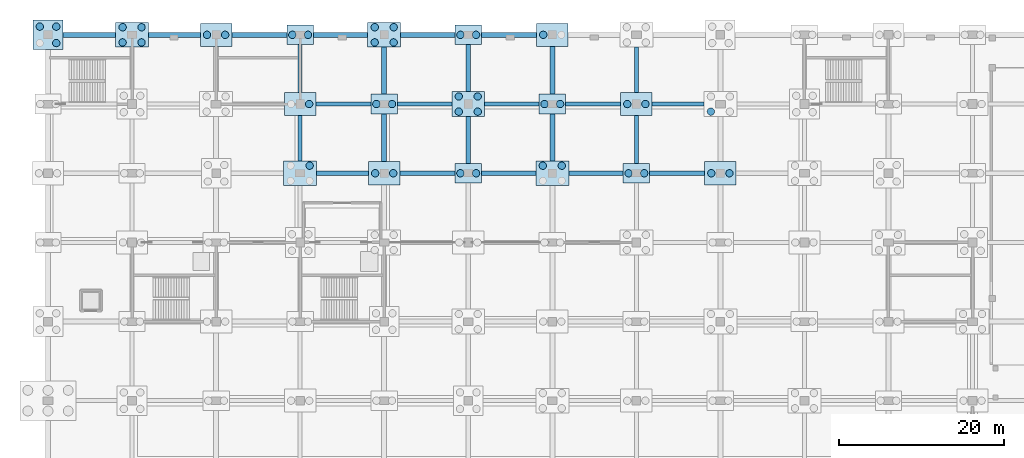
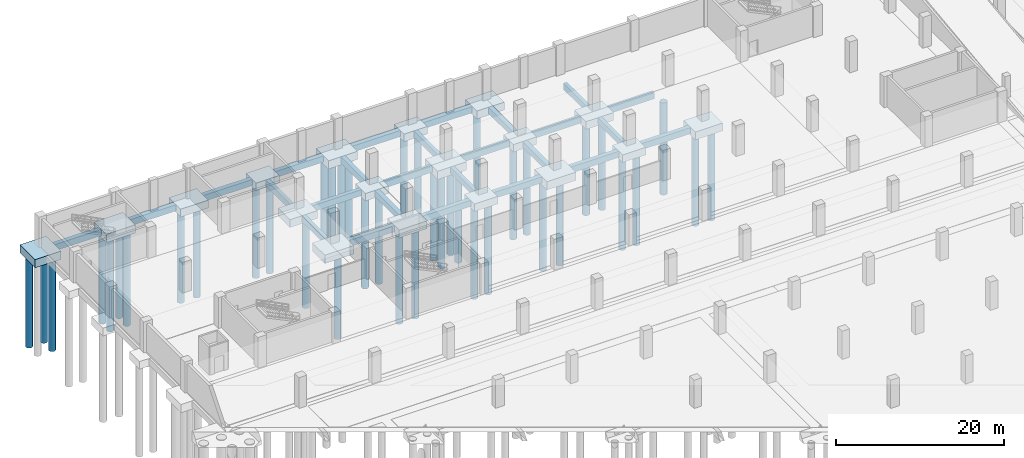
# One storey, part 18 of 52: 44 footings, 41 piles.
"""IFC4 building model written with IfcOpenShell, lengths in metres."""

from ifc_helpers import new_model, si_unit, direction, frame, origin, origin_2d, place, context, subcontext, project, spatial, polyline, rectangle, circle, outline, extrude, material, material_profile, profile_set, type_object, element, save


model = new_model("IFC4")

# Units and contexts
model_context = context("Model", 3, precision=1e-05, world=origin(), true_north=direction((0.0, 1.0)))
body_context = subcontext(model_context, "Body", "Model", "MODEL_VIEW")
ifc_project = project(units=[si_unit("LENGTHUNIT", "METRE"), si_unit("AREAUNIT", "SQUARE_METRE"), si_unit("VOLUMEUNIT", "CUBIC_METRE"), si_unit("PLANEANGLEUNIT", "RADIAN"), si_unit("MASSUNIT", "GRAM", prefix="KILO")], contexts=[model_context])

# Site, building, storey
site_placement = place(None, origin())
site = spatial("IfcSite", under=ifc_project, at=site_placement, CompositionType="ELEMENT")
building_placement = place(site_placement, origin())
building = spatial("IfcBuilding", under=site, at=building_placement, Name="Brelvane Convention Centre", CompositionType="ELEMENT")
storey_placement = place(building_placement, frame((0.0, 0.0, -4.5)))
storey = spatial("IfcBuildingStorey", under=building, at=storey_placement, Name="B1", CompositionType="ELEMENT", Elevation=-4.5)

# Piles
ifc_material_1 = material(Name="Concrete M40", Category="concrete")
ifc_material_profile_1 = material_profile(ifc_material_1, circle(Radius=0.449951171875, at=origin_2d()), Name="PILE D900")
ifc_profile_set_1 = profile_set([ifc_material_profile_1], Name="Concrete M40")
pile_type = type_object("IfcPileType", Name="Bored Pile PL-900", PredefinedType="BORED", material=ifc_profile_set_1)
for number, where, z_axis, x_axis, name in (
    (1, (1.0, 143.0, -1.550048828125), (0.0, 0.0, -1.0), (1.0, 0.0, 0.0), "Bored Pile PL-900 1-Q-2"),
    (2, (-1.0, 145.0, -1.550048828125), (0.0, 0.0, -1.0), (1.0, 0.0, 0.0), "Bored Pile PL-900 1-Q-3"),
    (3, (1.0, 145.0, -1.550048828125), (0.0, 0.0, -1.0), (1.0, 0.0, 0.0), "Bored Pile PL-900 1-Q-4"),
    (4, (9.050048828125, 143.080078125, -1.550048828125), (0.0, 0.0, -1.0), (1.0, 0.0, 0.0), "Bored Pile PL-900 2-Q-1"),
    (5, (11.35009765625, 143.080078125, -1.550048828125), (0.0, 0.0, -1.0), (1.0, 0.0, 0.0), "Bored Pile PL-900 2-Q-2"),
    (6, (9.050048828125, 144.919921875, -1.550048828125), (0.0, 0.0, -1.0), (1.0, 0.0, 0.0), "Bored Pile PL-900 2-Q-3"),
    (7, (11.35009765625, 144.919921875, -1.550048828125), (0.0, 0.0, -1.0), (1.0, 0.0, 0.0), "Bored Pile PL-900 2-Q-4"),
):
    element("IfcPile", number, at=place(storey_placement, frame(where, z_axis=z_axis, x_axis=x_axis)), inside=storey, type_object=pile_type, Name=name, PredefinedType="BORED", context=body_context, shape_type="SweptSolid", body=[
        extrude(circle(Radius=0.449951171875, at=origin_2d()), origin(), (0.0, 0.0, 1.0), 13.449951171875),
    ])
for number, where, z_axis, x_axis, name in (
    (8, (19.300048828125, 144.0, -1.5), (0.0, 0.0, -1.0), (1.0, 0.0, 0.0), "Bored Pile PL-900 3-Q-1"),
    (9, (21.5, 144.0, -1.5), (0.0, 0.0, -1.0), (1.0, 0.0, 0.0), "Bored Pile PL-900 3-Q-2"),
):
    element("IfcPile", number, at=place(storey_placement, frame(where, z_axis=z_axis, x_axis=x_axis)), inside=storey, type_object=pile_type, Name=name, PredefinedType="BORED", context=body_context, shape_type="SweptSolid", body=[
        extrude(circle(Radius=0.449951171875, at=origin_2d()), origin(), (0.0, 0.0, 1.0), 13.5),
    ])
pile_1_placement = place(storey_placement, frame((31.75, 128.1201171875, -1.550048828125), z_axis=(0.0, 0.0, -1.0), x_axis=(1.0, 0.0, 0.0)))
element("IfcPile", 10, at=pile_1_placement, inside=storey, type_object=pile_type, Name="Bored Pile PL-900 4-N-4", PredefinedType="BORED", context=body_context, shape_type="SweptSolid", body=[
    extrude(circle(Radius=0.449951171875, at=origin_2d()), origin(), (0.0, 0.0, 1.0), 13.449951171875),
])
pile_2_placement = place(storey_placement, frame((31.699951171875, 135.60009765625, -1.5), z_axis=(0.0, 0.0, -1.0), x_axis=(1.0, 0.0, 0.0)))
element("IfcPile", 11, at=pile_2_placement, inside=storey, type_object=pile_type, Name="Bored Pile PL-900 4-P-2", PredefinedType="BORED", context=body_context, shape_type="SweptSolid", body=[
    extrude(circle(Radius=0.449951171875, at=origin_2d()), origin(), (0.0, 0.0, 1.0), 13.5),
])
for number, where, z_axis, x_axis, name in (
    (12, (29.64990234375, 144.0, -1.449951171875), (0.0, 0.0, -1.0), (1.0, 0.0, 0.0), "Bored Pile PL-900 4-Q-1"),
    (13, (31.550048828125, 144.0, -1.449951171875), (0.0, 0.0, -1.0), (1.0, 0.0, 0.0), "Bored Pile PL-900 4-Q-2"),
):
    element("IfcPile", number, at=place(storey_placement, frame(where, z_axis=z_axis, x_axis=x_axis)), inside=storey, type_object=pile_type, Name=name, PredefinedType="BORED", context=body_context, shape_type="SweptSolid", body=[
        extrude(circle(Radius=0.449951171875, at=origin_2d()), origin(), (0.0, 0.0, 1.0), 13.550048828125),
    ])
for number, where, z_axis, x_axis, name in (
    (14, (39.699951171875, 127.199951171875, -1.5), (0.0, 0.0, -1.0), (1.0, 0.0, 0.0), "Bored Pile PL-900 5-N-1"),
    (15, (41.89990234375, 127.199951171875, -1.5), (0.0, 0.0, -1.0), (1.0, 0.0, 0.0), "Bored Pile PL-900 5-N-2"),
):
    element("IfcPile", number, at=place(storey_placement, frame(where, z_axis=z_axis, x_axis=x_axis)), inside=storey, type_object=pile_type, Name=name, PredefinedType="BORED", context=body_context, shape_type="SweptSolid", body=[
        extrude(circle(Radius=0.449951171875, at=origin_2d()), origin(), (0.0, 0.0, 1.0), 13.5),
    ])
for number, where, z_axis, x_axis, name in (
    (16, (39.85009765625, 135.60009765625, -1.449951171875), (0.0, 0.0, -1.0), (1.0, 0.0, 0.0), "Bored Pile PL-900 5-P-1"),
    (17, (41.75, 135.60009765625, -1.449951171875), (0.0, 0.0, -1.0), (1.0, 0.0, 0.0), "Bored Pile PL-900 5-P-2"),
):
    element("IfcPile", number, at=place(storey_placement, frame(where, z_axis=z_axis, x_axis=x_axis)), inside=storey, type_object=pile_type, Name=name, PredefinedType="BORED", context=body_context, shape_type="SweptSolid", body=[
        extrude(circle(Radius=0.449951171875, at=origin_2d()), origin(), (0.0, 0.0, 1.0), 13.550048828125),
    ])
for number, where, z_axis, x_axis, name in (
    (18, (39.64990234375, 143.080078125, -1.550048828125), (0.0, 0.0, -1.0), (1.0, 0.0, 0.0), "Bored Pile PL-900 5-Q-1"),
    (19, (41.949951171875, 143.080078125, -1.550048828125), (0.0, 0.0, -1.0), (1.0, 0.0, 0.0), "Bored Pile PL-900 5-Q-2"),
    (20, (39.64990234375, 144.919921875, -1.550048828125), (0.0, 0.0, -1.0), (1.0, 0.0, 0.0), "Bored Pile PL-900 5-Q-3"),
    (21, (41.949951171875, 144.919921875, -1.550048828125), (0.0, 0.0, -1.0), (1.0, 0.0, 0.0), "Bored Pile PL-900 5-Q-4"),
):
    element("IfcPile", number, at=place(storey_placement, frame(where, z_axis=z_axis, x_axis=x_axis)), inside=storey, type_object=pile_type, Name=name, PredefinedType="BORED", context=body_context, shape_type="SweptSolid", body=[
        extrude(circle(Radius=0.449951171875, at=origin_2d()), origin(), (0.0, 0.0, 1.0), 13.449951171875),
    ])
for number, where, z_axis, x_axis, name in (
    (22, (50.050048828125, 127.199951171875, -1.449951171875), (0.0, 0.0, -1.0), (1.0, 0.0, 0.0), "Bored Pile PL-900 6-N-1"),
    (23, (51.949951171875, 127.199951171875, -1.449951171875), (0.0, 0.0, -1.0), (1.0, 0.0, 0.0), "Bored Pile PL-900 6-N-2"),
):
    element("IfcPile", number, at=place(storey_placement, frame(where, z_axis=z_axis, x_axis=x_axis)), inside=storey, type_object=pile_type, Name=name, PredefinedType="BORED", context=body_context, shape_type="SweptSolid", body=[
        extrude(circle(Radius=0.449951171875, at=origin_2d()), origin(), (0.0, 0.0, 1.0), 13.550048828125),
    ])
for number, where, z_axis, x_axis, name in (
    (24, (49.85009765625, 134.679931640625, -1.550048828125), (0.0, 0.0, -1.0), (1.0, 0.0, 0.0), "Bored Pile PL-900 6-P-1"),
    (25, (52.14990234375, 134.679931640625, -1.550048828125), (0.0, 0.0, -1.0), (1.0, 0.0, 0.0), "Bored Pile PL-900 6-P-2"),
    (26, (49.85009765625, 136.52001953125, -1.550048828125), (0.0, 0.0, -1.0), (1.0, 0.0, 0.0), "Bored Pile PL-900 6-P-3"),
    (27, (52.14990234375, 136.52001953125, -1.550048828125), (0.0, 0.0, -1.0), (1.0, 0.0, 0.0), "Bored Pile PL-900 6-P-4"),
):
    element("IfcPile", number, at=place(storey_placement, frame(where, z_axis=z_axis, x_axis=x_axis)), inside=storey, type_object=pile_type, Name=name, PredefinedType="BORED", context=body_context, shape_type="SweptSolid", body=[
        extrude(circle(Radius=0.449951171875, at=origin_2d()), origin(), (0.0, 0.0, 1.0), 13.449951171875),
    ])
for number, where, z_axis, x_axis, name in (
    (28, (50.050048828125, 144.0, -1.449951171875), (0.0, 0.0, -1.0), (1.0, 0.0, 0.0), "Bored Pile PL-900 6-Q-1"),
    (29, (51.949951171875, 144.0, -1.449951171875), (0.0, 0.0, -1.0), (1.0, 0.0, 0.0), "Bored Pile PL-900 6-Q-2"),
):
    element("IfcPile", number, at=place(storey_placement, frame(where, z_axis=z_axis, x_axis=x_axis)), inside=storey, type_object=pile_type, Name=name, PredefinedType="BORED", context=body_context, shape_type="SweptSolid", body=[
        extrude(circle(Radius=0.449951171875, at=origin_2d()), origin(), (0.0, 0.0, 1.0), 13.550048828125),
    ])
for number, where, z_axis, x_axis, name in (
    (30, (60.050048828125, 128.1201171875, -1.550048828125), (0.0, 0.0, -1.0), (1.0, 0.0, 0.0), "Bored Pile PL-900 7-N-3"),
    (31, (62.35009765625, 128.1201171875, -1.550048828125), (0.0, 0.0, -1.0), (1.0, 0.0, 0.0), "Bored Pile PL-900 7-N-4"),
):
    element("IfcPile", number, at=place(storey_placement, frame(where, z_axis=z_axis, x_axis=x_axis)), inside=storey, type_object=pile_type, Name=name, PredefinedType="BORED", context=body_context, shape_type="SweptSolid", body=[
        extrude(circle(Radius=0.449951171875, at=origin_2d()), origin(), (0.0, 0.0, 1.0), 13.449951171875),
    ])
for number, where, z_axis, x_axis, name in (
    (32, (60.25, 135.60009765625, -1.449951171875), (0.0, 0.0, -1.0), (1.0, 0.0, 0.0), "Bored Pile PL-900 7-P-1"),
    (33, (62.14990234375, 135.60009765625, -1.449951171875), (0.0, 0.0, -1.0), (1.0, 0.0, 0.0), "Bored Pile PL-900 7-P-2"),
):
    element("IfcPile", number, at=place(storey_placement, frame(where, z_axis=z_axis, x_axis=x_axis)), inside=storey, type_object=pile_type, Name=name, PredefinedType="BORED", context=body_context, shape_type="SweptSolid", body=[
        extrude(circle(Radius=0.449951171875, at=origin_2d()), origin(), (0.0, 0.0, 1.0), 13.550048828125),
    ])
pile_3_placement = place(storey_placement, frame((60.10009765625, 144.0, -1.5), z_axis=(0.0, 0.0, -1.0), x_axis=(1.0, 0.0, 0.0)))
element("IfcPile", 34, at=pile_3_placement, inside=storey, type_object=pile_type, Name="Bored Pile PL-900 7-Q-1", PredefinedType="BORED", context=body_context, shape_type="SweptSolid", body=[
    extrude(circle(Radius=0.449951171875, at=origin_2d()), origin(), (0.0, 0.0, 1.0), 13.5),
])
for number, where, z_axis, x_axis, name in (
    (35, (70.449951171875, 127.199951171875, -1.449951171875), (0.0, 0.0, -1.0), (1.0, 0.0, 0.0), "Bored Pile PL-900 8-N-1"),
    (36, (72.35009765625, 127.199951171875, -1.449951171875), (0.0, 0.0, -1.0), (1.0, 0.0, 0.0), "Bored Pile PL-900 8-N-2"),
):
    element("IfcPile", number, at=place(storey_placement, frame(where, z_axis=z_axis, x_axis=x_axis)), inside=storey, type_object=pile_type, Name=name, PredefinedType="BORED", context=body_context, shape_type="SweptSolid", body=[
        extrude(circle(Radius=0.449951171875, at=origin_2d()), origin(), (0.0, 0.0, 1.0), 13.550048828125),
    ])
for number, where, z_axis, x_axis, name in (
    (37, (70.300048828125, 135.60009765625, -1.5), (0.0, 0.0, -1.0), (1.0, 0.0, 0.0), "Bored Pile PL-900 8-P-1"),
    (38, (72.5, 135.60009765625, -1.5), (0.0, 0.0, -1.0), (1.0, 0.0, 0.0), "Bored Pile PL-900 8-P-2"),
    (39, (80.5, 127.199951171875, -1.5), (0.0, 0.0, -1.0), (1.0, 0.0, 0.0), "Bored Pile PL-900 9-N-1"),
    (40, (82.699951171875, 127.199951171875, -1.5), (0.0, 0.0, -1.0), (1.0, 0.0, 0.0), "Bored Pile PL-900 9-N-2"),
):
    element("IfcPile", number, at=place(storey_placement, frame(where, z_axis=z_axis, x_axis=x_axis)), inside=storey, type_object=pile_type, Name=name, PredefinedType="BORED", context=body_context, shape_type="SweptSolid", body=[
        extrude(circle(Radius=0.449951171875, at=origin_2d()), origin(), (0.0, 0.0, 1.0), 13.5),
    ])
pile_4_placement = place(storey_placement, frame((80.449951171875, 134.679931640625, -1.550048828125), z_axis=(0.0, 0.0, -1.0), x_axis=(1.0, 0.0, 0.0)))
element("IfcPile", 41, at=pile_4_placement, inside=storey, type_object=pile_type, Name="Bored Pile PL-900 9-P-1", PredefinedType="BORED", context=body_context, shape_type="SweptSolid", body=[
    extrude(circle(Radius=0.449951171875, at=origin_2d()), origin(), (0.0, 0.0, 1.0), 13.449951171875),
])

# Footings
ifc_material_2 = material(Name="Concrete M40", Category="concrete")
ifc_material_profile_2 = material_profile(ifc_material_2, rectangle(XDim=0.60009765625, YDim=0.89990234375, at=origin_2d()), Name="RC 600x900")
ifc_profile_set_2 = profile_set([ifc_material_profile_2], Name="Concrete M40")
footing_type_1 = type_object("IfcFootingType", Name="Ground Tie Beam GB-1", PredefinedType="FOOTING_BEAM", material=ifc_profile_set_2)
footing_1_placement = place(storey_placement, frame((1.800048828125, 144.0, -0.89990234375), z_axis=(1.0, 0.0, 0.0), x_axis=(0.0, 1.0, 0.0)))
element("IfcFooting", 42, at=footing_1_placement, inside=storey, type_object=footing_type_1, Name="Ground Tie Beam GB-1 1-2/Q", PredefinedType="FOOTING_BEAM", context=body_context, shape_type="SweptSolid", body=[
    extrude(rectangle(XDim=0.60009765625, YDim=0.89990234375, at=origin_2d()), origin(), (0.0, 0.0, 1.0), 6.39990234375),
])
footing_2_placement = place(storey_placement, frame((12.199951171875, 144.0, -0.89990234375), z_axis=(1.0, 0.0, 0.0), x_axis=(0.0, 1.0, 0.0)))
element("IfcFooting", 43, at=footing_2_placement, inside=storey, type_object=footing_type_1, Name="Ground Tie Beam GB-1 2-3/Q", PredefinedType="FOOTING_BEAM", context=body_context, shape_type="SweptSolid", body=[
    extrude(rectangle(XDim=0.60009765625, YDim=0.89990234375, at=origin_2d()), origin(), (0.0, 0.0, 1.0), 6.300048828125),
])
footing_3_placement = place(storey_placement, frame((22.300048828125, 144.0, -0.89990234375), z_axis=(1.0, 0.0, 0.0), x_axis=(0.0, 1.0, 0.0)))
element("IfcFooting", 44, at=footing_3_placement, inside=storey, type_object=footing_type_1, Name="Ground Tie Beam GB-1 3-4/Q", PredefinedType="FOOTING_BEAM", context=body_context, shape_type="SweptSolid", body=[
    extrude(rectangle(XDim=0.60009765625, YDim=0.89990234375, at=origin_2d()), origin(), (0.0, 0.0, 1.0), 6.699951171875),
])
footing_4_placement = place(storey_placement, frame((32.60009765625, 127.199951171875, -0.89990234375), z_axis=(1.0, 0.0, 0.0), x_axis=(0.0, 1.0, 0.0)))
element("IfcFooting", 45, at=footing_4_placement, inside=storey, type_object=footing_type_1, Name="Ground Tie Beam GB-1 4-5/N", PredefinedType="FOOTING_BEAM", context=body_context, shape_type="SweptSolid", body=[
    extrude(rectangle(XDim=0.60009765625, YDim=0.89990234375, at=origin_2d()), origin(), (0.0, 0.0, 1.0), 6.2998046875),
])
footing_5_placement = place(storey_placement, frame((32.199951171875, 144.0, -0.89990234375), z_axis=(1.0, 0.0, 0.0), x_axis=(0.0, 1.0, 0.0)))
element("IfcFooting", 46, at=footing_5_placement, inside=storey, type_object=footing_type_1, Name="Ground Tie Beam GB-1 4-5/Q", PredefinedType="FOOTING_BEAM", context=body_context, shape_type="SweptSolid", body=[
    extrude(rectangle(XDim=0.60009765625, YDim=0.89990234375, at=origin_2d()), origin(), (0.0, 0.0, 1.0), 6.60009765625),
])
footing_6_placement = place(storey_placement, frame((42.699951171875, 127.199951171875, -0.89990234375), z_axis=(1.0, 0.0, 0.0), x_axis=(0.0, 1.0, 0.0)))
element("IfcFooting", 47, at=footing_6_placement, inside=storey, type_object=footing_type_1, Name="Ground Tie Beam GB-1 5-6/N", PredefinedType="FOOTING_BEAM", context=body_context, shape_type="SweptSolid", body=[
    extrude(rectangle(XDim=0.60009765625, YDim=0.89990234375, at=origin_2d()), origin(), (0.0, 0.0, 1.0), 6.699951171875),
])
footing_7_placement = place(storey_placement, frame((40.800048828125, 128.60009765625, -0.89990234375), z_axis=(0.0, 1.0, 0.0), x_axis=(-1.0, 0.0, 0.0)))
element("IfcFooting", 48, at=footing_7_placement, inside=storey, type_object=footing_type_1, Name="Ground Tie Beam GB-1 5/N-P", PredefinedType="FOOTING_BEAM", context=body_context, shape_type="SweptSolid", body=[
    extrude(rectangle(XDim=0.60009765625, YDim=0.89990234375, at=origin_2d()), origin(), (0.0, 0.0, 1.0), 5.7998046875),
])
footing_8_placement = place(storey_placement, frame((40.800048828125, 136.800048828125, -0.89990234375), z_axis=(0.0, 1.0, 0.0), x_axis=(-1.0, 0.0, 0.0)))
element("IfcFooting", 49, at=footing_8_placement, inside=storey, type_object=footing_type_1, Name="Ground Tie Beam GB-1 5/P-Q", PredefinedType="FOOTING_BEAM", context=body_context, shape_type="SweptSolid", body=[
    extrude(rectangle(XDim=0.60009765625, YDim=0.89990234375, at=origin_2d()), origin(), (0.0, 0.0, 1.0), 5.699951171875),
])
for number, where, z_axis, x_axis, name in (
    (50, (42.800048828125, 144.0, -0.89990234375), (1.0, 0.0, 0.0), (0.0, 1.0, 0.0), "Ground Tie Beam GB-1 5-6/Q"),
    (51, (52.60009765625, 127.199951171875, -0.89990234375), (1.0, 0.0, 0.0), (0.0, 1.0, 0.0), "Ground Tie Beam GB-1 6-7/N"),
):
    element("IfcFooting", number, at=place(storey_placement, frame(where, z_axis=z_axis, x_axis=x_axis)), inside=storey, type_object=footing_type_1, Name=name, PredefinedType="FOOTING_BEAM", context=body_context, shape_type="SweptSolid", body=[
        extrude(rectangle(XDim=0.60009765625, YDim=0.89990234375, at=origin_2d()), origin(), (0.0, 0.0, 1.0), 6.599853515625),
    ])
footing_9_placement = place(storey_placement, frame((52.60009765625, 144.0, -0.89990234375), z_axis=(1.0, 0.0, 0.0), x_axis=(0.0, 1.0, 0.0)))
element("IfcFooting", 52, at=footing_9_placement, inside=storey, type_object=footing_type_1, Name="Ground Tie Beam GB-1 6-7/Q", PredefinedType="FOOTING_BEAM", context=body_context, shape_type="SweptSolid", body=[
    extrude(rectangle(XDim=0.60009765625, YDim=0.89990234375, at=origin_2d()), origin(), (0.0, 0.0, 1.0), 6.699951171875),
])
footing_10_placement = place(storey_placement, frame((63.199951171875, 127.199951171875, -0.89990234375), z_axis=(1.0, 0.0, 0.0), x_axis=(0.0, 1.0, 0.0)))
element("IfcFooting", 53, at=footing_10_placement, inside=storey, type_object=footing_type_1, Name="Ground Tie Beam GB-1 7-8/N", PredefinedType="FOOTING_BEAM", context=body_context, shape_type="SweptSolid", body=[
    extrude(rectangle(XDim=0.60009765625, YDim=0.89990234375, at=origin_2d()), origin(), (0.0, 0.0, 1.0), 6.60009765625),
])
footing_11_placement = place(storey_placement, frame((61.199951171875, 128.699951171875, -0.89990234375), z_axis=(0.0, 1.0, 0.0), x_axis=(-1.0, 0.0, 0.0)))
element("IfcFooting", 54, at=footing_11_placement, inside=storey, type_object=footing_type_1, Name="Ground Tie Beam GB-1 7/N-P", PredefinedType="FOOTING_BEAM", context=body_context, shape_type="SweptSolid", body=[
    extrude(rectangle(XDim=0.60009765625, YDim=0.89990234375, at=origin_2d()), origin(), (0.0, 0.0, 1.0), 5.699951171875),
])
footing_12_placement = place(storey_placement, frame((61.199951171875, 136.800048828125, -0.89990234375), z_axis=(0.0, 1.0, 0.0), x_axis=(-1.0, 0.0, 0.0)))
element("IfcFooting", 55, at=footing_12_placement, inside=storey, type_object=footing_type_1, Name="Ground Tie Beam GB-1 7/P-Q", PredefinedType="FOOTING_BEAM", context=body_context, shape_type="SweptSolid", body=[
    extrude(rectangle(XDim=0.60009765625, YDim=0.89990234375, at=origin_2d()), origin(), (0.0, 0.0, 1.0), 5.800048828125),
])
footing_13_placement = place(storey_placement, frame((73.0, 127.199951171875, -0.89990234375), z_axis=(1.0, 0.0, 0.0), x_axis=(0.0, 1.0, 0.0)))
element("IfcFooting", 56, at=footing_13_placement, inside=storey, type_object=footing_type_1, Name="Ground Tie Beam GB-1 8-9/N", PredefinedType="FOOTING_BEAM", context=body_context, shape_type="SweptSolid", body=[
    extrude(rectangle(XDim=0.60009765625, YDim=0.89990234375, at=origin_2d()), origin(), (0.0, 0.0, 1.0), 6.699951171875),
])
ifc_material_3 = material(Name="Concrete M40", Category="concrete")
ifc_material_profile_3 = material_profile(ifc_material_3, rectangle(XDim=0.5, YDim=0.89990234375, at=origin_2d()), Name="RC 500x900")
ifc_profile_set_3 = profile_set([ifc_material_profile_3], Name="Concrete M40")
footing_type_2 = type_object("IfcFootingType", Name="Ground Tie Beam GB-2", PredefinedType="FOOTING_BEAM", material=ifc_profile_set_3)
footing_14_placement = place(storey_placement, frame((30.60009765625, 128.699951171875, -0.89990234375), z_axis=(0.0, 1.0, 0.0), x_axis=(-1.0, 0.0, 0.0)))
element("IfcFooting", 57, at=footing_14_placement, inside=storey, type_object=footing_type_2, Name="Ground Tie Beam GB-2 4/N-P", PredefinedType="FOOTING_BEAM", context=body_context, shape_type="SweptSolid", body=[
    extrude(rectangle(XDim=0.5, YDim=0.89990234375, at=origin_2d()), origin(), (0.0, 0.0, 1.0), 5.5),
])
footing_15_placement = place(storey_placement, frame((32.5, 135.60009765625, -0.89990234375), z_axis=(1.0, 0.0, 0.0), x_axis=(0.0, 1.0, 0.0)))
element("IfcFooting", 58, at=footing_15_placement, inside=storey, type_object=footing_type_2, Name="Ground Tie Beam GB-2 4-5/P", PredefinedType="FOOTING_BEAM", context=body_context, shape_type="SweptSolid", body=[
    extrude(rectangle(XDim=0.5, YDim=0.89990234375, at=origin_2d()), origin(), (0.0, 0.0, 1.0), 6.699951171875),
])
footing_16_placement = place(storey_placement, frame((30.60009765625, 137.0, -0.89990234375), z_axis=(0.0, 1.0, 0.0), x_axis=(-1.0, 0.0, 0.0)))
element("IfcFooting", 59, at=footing_16_placement, inside=storey, type_object=footing_type_2, Name="Ground Tie Beam GB-2 4/P-Q", PredefinedType="FOOTING_BEAM", context=body_context, shape_type="SweptSolid", body=[
    extrude(rectangle(XDim=0.5, YDim=0.89990234375, at=origin_2d()), origin(), (0.0, 0.0, 1.0), 5.800048828125),
])
footing_17_placement = place(storey_placement, frame((42.39990234375, 135.60009765625, -0.89990234375), z_axis=(1.0, 0.0, 0.0), x_axis=(0.0, 1.0, 0.0)))
element("IfcFooting", 60, at=footing_17_placement, inside=storey, type_object=footing_type_2, Name="Ground Tie Beam GB-2 5-6/P", PredefinedType="FOOTING_BEAM", context=body_context, shape_type="SweptSolid", body=[
    extrude(rectangle(XDim=0.5, YDim=0.89990234375, at=origin_2d()), origin(), (0.0, 0.0, 1.0), 6.60009765625),
])
footing_18_placement = place(storey_placement, frame((51.0, 128.39990234375, -0.89990234375), z_axis=(0.0, 1.0, 0.0), x_axis=(-1.0, 0.0, 0.0)))
element("IfcFooting", 61, at=footing_18_placement, inside=storey, type_object=footing_type_2, Name="Ground Tie Beam GB-2 6/N-P", PredefinedType="FOOTING_BEAM", context=body_context, shape_type="SweptSolid", body=[
    extrude(rectangle(XDim=0.5, YDim=0.89990234375, at=origin_2d()), origin(), (0.0, 0.0, 1.0), 5.7001953125),
])
footing_19_placement = place(storey_placement, frame((53.0, 135.60009765625, -0.89990234375), z_axis=(1.0, 0.0, 0.0), x_axis=(0.0, 1.0, 0.0)))
element("IfcFooting", 62, at=footing_19_placement, inside=storey, type_object=footing_type_2, Name="Ground Tie Beam GB-2 6-7/P", PredefinedType="FOOTING_BEAM", context=body_context, shape_type="SweptSolid", body=[
    extrude(rectangle(XDim=0.5, YDim=0.89990234375, at=origin_2d()), origin(), (0.0, 0.0, 1.0), 6.60009765625),
])
footing_20_placement = place(storey_placement, frame((51.0, 137.10009765625, -0.89990234375), z_axis=(0.0, 1.0, 0.0), x_axis=(-1.0, 0.0, 0.0)))
element("IfcFooting", 63, at=footing_20_placement, inside=storey, type_object=footing_type_2, Name="Ground Tie Beam GB-2 6/P-Q", PredefinedType="FOOTING_BEAM", context=body_context, shape_type="SweptSolid", body=[
    extrude(rectangle(XDim=0.5, YDim=0.89990234375, at=origin_2d()), origin(), (0.0, 0.0, 1.0), 5.699951171875),
])
footing_21_placement = place(storey_placement, frame((62.800048828125, 135.60009765625, -0.89990234375), z_axis=(1.0, 0.0, 0.0), x_axis=(0.0, 1.0, 0.0)))
element("IfcFooting", 64, at=footing_21_placement, inside=storey, type_object=footing_type_2, Name="Ground Tie Beam GB-2 7-8/P", PredefinedType="FOOTING_BEAM", context=body_context, shape_type="SweptSolid", body=[
    extrude(rectangle(XDim=0.5, YDim=0.89990234375, at=origin_2d()), origin(), (0.0, 0.0, 1.0), 6.699951171875),
])
footing_22_placement = place(storey_placement, frame((71.39990234375, 128.39990234375, -0.89990234375), z_axis=(0.0, 1.0, 0.0), x_axis=(-1.0, 0.0, 0.0)))
element("IfcFooting", 65, at=footing_22_placement, inside=storey, type_object=footing_type_2, Name="Ground Tie Beam GB-2 8/N-P", PredefinedType="FOOTING_BEAM", context=body_context, shape_type="SweptSolid", body=[
    extrude(rectangle(XDim=0.5, YDim=0.89990234375, at=origin_2d()), origin(), (0.0, 0.0, 1.0), 5.800048828125),
])
footing_23_placement = place(storey_placement, frame((73.300048828125, 135.60009765625, -0.89990234375), z_axis=(1.0, 0.0, 0.0), x_axis=(0.0, 1.0, 0.0)))
element("IfcFooting", 66, at=footing_23_placement, inside=storey, type_object=footing_type_2, Name="Ground Tie Beam GB-2 8-9/P", PredefinedType="FOOTING_BEAM", context=body_context, shape_type="SweptSolid", body=[
    extrude(rectangle(XDim=0.5, YDim=0.89990234375, at=origin_2d()), origin(), (0.0, 0.0, 1.0), 6.300048828125),
])
footing_24_placement = place(storey_placement, frame((71.39990234375, 137.0, -0.89990234375), z_axis=(0.0, 1.0, 0.0), x_axis=(-1.0, 0.0, 0.0)))
element("IfcFooting", 67, at=footing_24_placement, inside=storey, type_object=footing_type_2, Name="Ground Tie Beam GB-2 8/P-Q", PredefinedType="FOOTING_BEAM", context=body_context, shape_type="SweptSolid", body=[
    extrude(rectangle(XDim=0.5, YDim=0.89990234375, at=origin_2d()), origin(), (0.0, 0.0, 1.0), 5.5),
])
ifc_material_4 = material(Name="Concrete M40", Category="concrete")
footing_type_3 = type_object("IfcFootingType", Name="Pile Cap PC-2", PredefinedType="PILE_CAP", material=ifc_material_4)
footing_25_placement = place(storey_placement, frame((0.0, 0.0, -1.550048828125)))
element("IfcFooting", 68, at=footing_25_placement, inside=storey, type_object=footing_type_3, Name="Pile Cap PC-2 at 4-Q", PredefinedType="PILE_CAP", context=body_context, shape_type="SweptSolid", body=[
    extrude(outline(polyline([(29.0, 142.800048828125), (32.199951171875, 142.800048828125), (32.199951171875, 145.199951171875), (29.0, 145.199951171875), (29.0, 142.800048828125)])), origin(), (0.0, 0.0, 1.0), 1.10009765625),
])
footing_26_placement = place(storey_placement, frame((0.0, 0.0, -1.550048828125)))
element("IfcFooting", 69, at=footing_26_placement, inside=storey, type_object=footing_type_3, Name="Pile Cap PC-2 at 5-P", PredefinedType="PILE_CAP", context=body_context, shape_type="SweptSolid", body=[
    extrude(outline(polyline([(39.199951171875, 134.39990234375), (42.39990234375, 134.39990234375), (42.39990234375, 136.800048828125), (39.199951171875, 136.800048828125), (39.199951171875, 134.39990234375)])), origin(), (0.0, 0.0, 1.0), 1.10009765625),
])
footing_27_placement = place(storey_placement, frame((0.0, 0.0, -1.550048828125)))
element("IfcFooting", 70, at=footing_27_placement, inside=storey, type_object=footing_type_3, Name="Pile Cap PC-2 at 6-N", PredefinedType="PILE_CAP", context=body_context, shape_type="SweptSolid", body=[
    extrude(outline(polyline([(49.39990234375, 126.0), (52.60009765625, 126.0), (52.60009765625, 128.39990234375), (49.39990234375, 128.39990234375), (49.39990234375, 126.0)])), origin(), (0.0, 0.0, 1.0), 1.10009765625),
])
footing_28_placement = place(storey_placement, frame((0.0, 0.0, -1.550048828125)))
element("IfcFooting", 71, at=footing_28_placement, inside=storey, type_object=footing_type_3, Name="Pile Cap PC-2 at 6-Q", PredefinedType="PILE_CAP", context=body_context, shape_type="SweptSolid", body=[
    extrude(outline(polyline([(49.39990234375, 142.800048828125), (52.60009765625, 142.800048828125), (52.60009765625, 145.199951171875), (49.39990234375, 145.199951171875), (49.39990234375, 142.800048828125)])), origin(), (0.0, 0.0, 1.0), 1.10009765625),
])
footing_29_placement = place(storey_placement, frame((0.0, 0.0, -1.550048828125)))
element("IfcFooting", 72, at=footing_29_placement, inside=storey, type_object=footing_type_3, Name="Pile Cap PC-2 at 7-P", PredefinedType="PILE_CAP", context=body_context, shape_type="SweptSolid", body=[
    extrude(outline(polyline([(59.60009765625, 134.39990234375), (62.800048828125, 134.39990234375), (62.800048828125, 136.800048828125), (59.60009765625, 136.800048828125), (59.60009765625, 134.39990234375)])), origin(), (0.0, 0.0, 1.0), 1.10009765625),
])
footing_30_placement = place(storey_placement, frame((0.0, 0.0, -1.550048828125)))
element("IfcFooting", 73, at=footing_30_placement, inside=storey, type_object=footing_type_3, Name="Pile Cap PC-2 at 8-N", PredefinedType="PILE_CAP", context=body_context, shape_type="SweptSolid", body=[
    extrude(outline(polyline([(69.800048828125, 126.0), (73.0, 126.0), (73.0, 128.39990234375), (69.800048828125, 128.39990234375), (69.800048828125, 126.0)])), origin(), (0.0, 0.0, 1.0), 1.10009765625),
])
ifc_material_5 = material(Name="Concrete M40", Category="concrete")
footing_type_4 = type_object("IfcFootingType", Name="Pile Cap PC-3", PredefinedType="PILE_CAP", material=ifc_material_5)
footing_31_placement = place(storey_placement, frame((0.0, 0.0, -1.64990234375)))
element("IfcFooting", 74, at=footing_31_placement, inside=storey, type_object=footing_type_4, Name="Pile Cap PC-3 at 1-Q", PredefinedType="PILE_CAP", context=body_context, shape_type="SweptSolid", body=[
    extrude(outline(polyline([(-1.800048828125, 142.199951171875), (1.800048828125, 142.199951171875), (1.800048828125, 145.800048828125), (-1.800048828125, 145.800048828125), (-1.800048828125, 142.199951171875)])), origin(), (0.0, 0.0, 1.0), 1.199951171875),
])
ifc_material_6 = material(Name="Concrete M40", Category="concrete")
footing_type_5 = type_object("IfcFootingType", Name="Pile Cap PC-4", PredefinedType="PILE_CAP", material=ifc_material_6)
footing_32_placement = place(storey_placement, frame((0.0, 0.0, -1.64990234375)))
element("IfcFooting", 75, at=footing_32_placement, inside=storey, type_object=footing_type_5, Name="Pile Cap PC-4 at 2-Q", PredefinedType="PILE_CAP", context=body_context, shape_type="SweptSolid", body=[
    extrude(outline(polyline([(8.199951171875, 142.5), (12.199951171875, 142.5), (12.199951171875, 145.5), (8.199951171875, 145.5), (8.199951171875, 142.5)])), origin(), (0.0, 0.0, 1.0), 1.199951171875),
])
footing_33_placement = place(storey_placement, frame((0.0, 0.0, -1.64990234375)))
element("IfcFooting", 76, at=footing_33_placement, inside=storey, type_object=footing_type_5, Name="Pile Cap PC-4 at 4-N", PredefinedType="PILE_CAP", context=body_context, shape_type="SweptSolid", body=[
    extrude(outline(polyline([(28.60009765625, 125.699951171875), (32.60009765625, 125.699951171875), (32.60009765625, 128.699951171875), (28.60009765625, 128.699951171875), (28.60009765625, 125.699951171875)])), origin(), (0.0, 0.0, 1.0), 1.199951171875),
])
footing_34_placement = place(storey_placement, frame((0.0, 0.0, -1.64990234375)))
element("IfcFooting", 77, at=footing_34_placement, inside=storey, type_object=footing_type_5, Name="Pile Cap PC-4 at 5-Q", PredefinedType="PILE_CAP", context=body_context, shape_type="SweptSolid", body=[
    extrude(outline(polyline([(38.800048828125, 142.5), (42.800048828125, 142.5), (42.800048828125, 145.5), (38.800048828125, 145.5), (38.800048828125, 142.5)])), origin(), (0.0, 0.0, 1.0), 1.199951171875),
])
footing_35_placement = place(storey_placement, frame((0.0, 0.0, -1.64990234375)))
element("IfcFooting", 78, at=footing_35_placement, inside=storey, type_object=footing_type_5, Name="Pile Cap PC-4 at 6-P", PredefinedType="PILE_CAP", context=body_context, shape_type="SweptSolid", body=[
    extrude(outline(polyline([(49.0, 134.10009765625), (53.0, 134.10009765625), (53.0, 137.10009765625), (49.0, 137.10009765625), (49.0, 134.10009765625)])), origin(), (0.0, 0.0, 1.0), 1.199951171875),
])
footing_36_placement = place(storey_placement, frame((0.0, 0.0, -1.64990234375)))
element("IfcFooting", 79, at=footing_36_placement, inside=storey, type_object=footing_type_5, Name="Pile Cap PC-4 at 7-N", PredefinedType="PILE_CAP", context=body_context, shape_type="SweptSolid", body=[
    extrude(outline(polyline([(59.199951171875, 125.699951171875), (63.199951171875, 125.699951171875), (63.199951171875, 128.699951171875), (59.199951171875, 128.699951171875), (59.199951171875, 125.699951171875)])), origin(), (0.0, 0.0, 1.0), 1.199951171875),
])
ifc_material_7 = material(Name="Concrete M40", Category="concrete")
footing_type_6 = type_object("IfcFootingType", Name="Pile Cap PC-9", PredefinedType="PILE_CAP", material=ifc_material_7)
footing_37_placement = place(storey_placement, frame((0.0, 0.0, -1.60009765625)))
element("IfcFooting", 80, at=footing_37_placement, inside=storey, type_object=footing_type_6, Name="Pile Cap PC-9 at 3-Q", PredefinedType="PILE_CAP", context=body_context, shape_type="SweptSolid", body=[
    extrude(outline(polyline([(18.5, 142.60009765625), (22.300048828125, 142.60009765625), (22.300048828125, 145.39990234375), (18.5, 145.39990234375), (18.5, 142.60009765625)])), origin(), (0.0, 0.0, 1.0), 1.150146484375),
])
footing_38_placement = place(storey_placement, frame((0.0, 0.0, -1.60009765625)))
element("IfcFooting", 81, at=footing_38_placement, inside=storey, type_object=footing_type_6, Name="Pile Cap PC-9 at 4-P", PredefinedType="PILE_CAP", context=body_context, shape_type="SweptSolid", body=[
    extrude(outline(polyline([(28.699951171875, 134.199951171875), (32.5, 134.199951171875), (32.5, 137.0), (28.699951171875, 137.0), (28.699951171875, 134.199951171875)])), origin(), (0.0, 0.0, 1.0), 1.150146484375),
])
footing_39_placement = place(storey_placement, frame((0.0, 0.0, -1.60009765625)))
element("IfcFooting", 82, at=footing_39_placement, inside=storey, type_object=footing_type_6, Name="Pile Cap PC-9 at 5-N", PredefinedType="PILE_CAP", context=body_context, shape_type="SweptSolid", body=[
    extrude(outline(polyline([(38.89990234375, 125.800048828125), (42.699951171875, 125.800048828125), (42.699951171875, 128.60009765625), (38.89990234375, 128.60009765625), (38.89990234375, 125.800048828125)])), origin(), (0.0, 0.0, 1.0), 1.150146484375),
])
footing_40_placement = place(storey_placement, frame((0.0, 0.0, -1.60009765625)))
element("IfcFooting", 83, at=footing_40_placement, inside=storey, type_object=footing_type_6, Name="Pile Cap PC-9 at 7-Q", PredefinedType="PILE_CAP", context=body_context, shape_type="SweptSolid", body=[
    extrude(outline(polyline([(59.300048828125, 142.60009765625), (63.10009765625, 142.60009765625), (63.10009765625, 145.39990234375), (59.300048828125, 145.39990234375), (59.300048828125, 142.60009765625)])), origin(), (0.0, 0.0, 1.0), 1.150146484375),
])
footing_41_placement = place(storey_placement, frame((0.0, 0.0, -1.60009765625)))
element("IfcFooting", 84, at=footing_41_placement, inside=storey, type_object=footing_type_6, Name="Pile Cap PC-9 at 8-P", PredefinedType="PILE_CAP", context=body_context, shape_type="SweptSolid", body=[
    extrude(outline(polyline([(69.5, 134.199951171875), (73.300048828125, 134.199951171875), (73.300048828125, 137.0), (69.5, 137.0), (69.5, 134.199951171875)])), origin(), (0.0, 0.0, 1.0), 1.150146484375),
])
footing_42_placement = place(storey_placement, frame((0.0, 0.0, -1.60009765625)))
element("IfcFooting", 85, at=footing_42_placement, inside=storey, type_object=footing_type_6, Name="Pile Cap PC-9 at 9-N", PredefinedType="PILE_CAP", context=body_context, shape_type="SweptSolid", body=[
    extrude(outline(polyline([(79.699951171875, 125.800048828125), (83.5, 125.800048828125), (83.5, 128.60009765625), (79.699951171875, 128.60009765625), (79.699951171875, 125.800048828125)])), origin(), (0.0, 0.0, 1.0), 1.150146484375),
])

save(model, "model.ifc")
